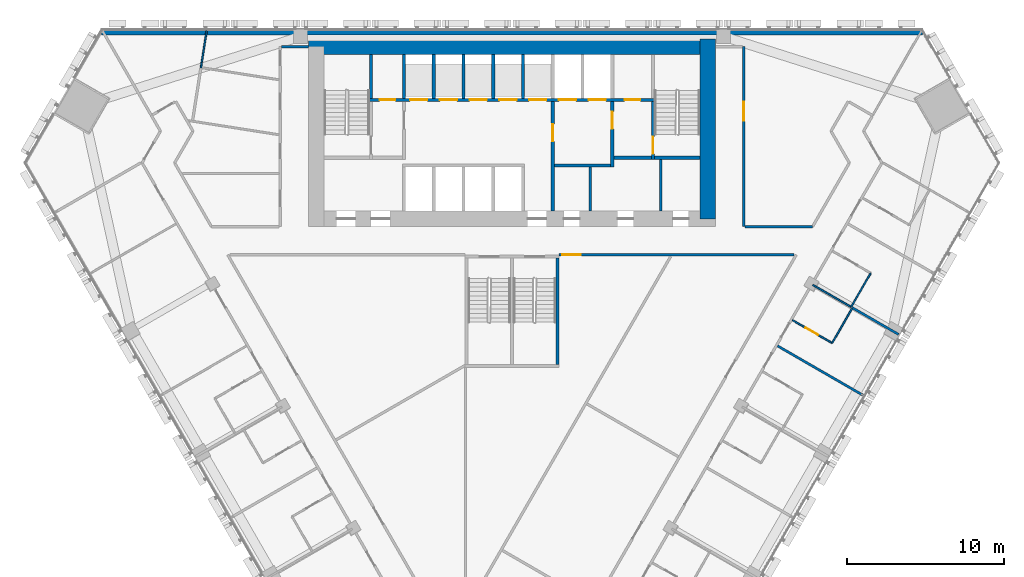
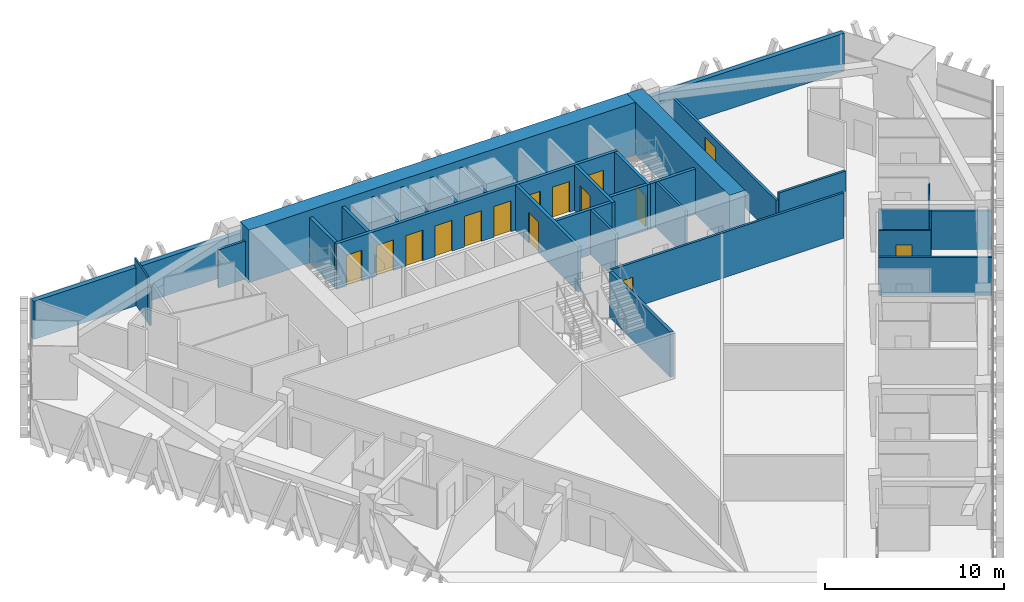
# One storey, part 13 of 18: 31 walls, 15 doors, 15 openings.
"""IFC4 building model written with IfcOpenShell, lengths in metres."""

from ifc_helpers import new_model, si_unit, direction, frame, frame_2d, origin, place, context, subcontext, project, spatial, rectangle, extrude, material, layer, layer_set, type_object, element, fill, save


model = new_model("IFC4")

# Units and contexts
model_context = context("Model", 3, precision=1e-05, world=origin(), true_north=direction((0.0, 1.0)))
body_context = subcontext(model_context, "Body", "Model", "MODEL_VIEW")
ifc_project = project(units=[si_unit("LENGTHUNIT", "METRE"), si_unit("AREAUNIT", "SQUARE_METRE"), si_unit("VOLUMEUNIT", "CUBIC_METRE"), si_unit("PLANEANGLEUNIT", "RADIAN"), si_unit("MASSUNIT", "GRAM", prefix="KILO")], contexts=[model_context])

# Site, building, storey
site_placement = place(None, origin())
site = spatial("IfcSite", under=ifc_project, at=site_placement, CompositionType="ELEMENT")
building_placement = place(site_placement, origin())
building = spatial("IfcBuilding", under=site, at=building_placement, Name="Altiplano Prism Tower", CompositionType="ELEMENT")
storey_placement = place(building_placement, frame((0.0, 0.0, 34.199951171875)))
storey = spatial("IfcBuildingStorey", under=building, at=storey_placement, Name="L07", CompositionType="ELEMENT", Elevation=34.199951171875)

# Walls
ifc_material_1 = material(Name="Concrete C70/85", Category="concrete")
ifc_layer_1 = layer(ifc_material_1, 1.0)
ifc_layer_set_1 = layer_set([ifc_layer_1], Name="Concrete C70/85")
wall_type_1 = type_object("IfcWallType", Name="Core wall 1000", PredefinedType="SHEAR", material=ifc_layer_set_1)
wall_1_placement = place(storey_placement, frame((97.5, 92.89990234375, 0.0), z_axis=(0.0, 0.0, 1.0), x_axis=(0.0, 1.0, 0.0)))
element("IfcWall", 1, at=wall_1_placement, inside=storey, type_object=wall_type_1, Name="Core wall E L07", PredefinedType="SHEAR", context=body_context, shape_type="SweptSolid", body=[
    extrude(rectangle(XDim=11.5, YDim=1.0, at=frame_2d((5.75, 0.0))), origin(), (0.0, 0.0, 1.0), 3.60009765625),
])
wall_2_placement = place(storey_placement, frame((97.5, 103.89990234375, 0.0), z_axis=(0.0, 0.0, 1.0), x_axis=(-1.0, 0.0, 0.0)))
element("IfcWall", 2, at=wall_2_placement, inside=storey, type_object=wall_type_1, Name="Core wall N L07", PredefinedType="SHEAR", context=body_context, shape_type="SweptSolid", body=[
    extrude(rectangle(XDim=25.5, YDim=1.0, at=frame_2d((12.75, 0.0))), origin(), (0.0, 0.0, 1.0), 3.60009765625),
])
ifc_material_2 = material(Name="Plasterboard on steel stud", Category="steel")
ifc_layer_2 = layer(ifc_material_2, 0.10009765625)
ifc_layer_set_2 = layer_set([ifc_layer_2], Name="Plasterboard on steel stud")
wall_type_2 = type_object("IfcWallType", Name="Partition 100 unit", PredefinedType="PARTITIONING", material=ifc_layer_set_2)
wall_3_placement = place(storey_placement, frame((106.7080078125, 87.153564453125, 0.0), z_axis=(0.0, 0.0, 1.0), x_axis=(-0.499976333282, -0.866039067339, 0.0)))
element("IfcWall", 3, at=wall_3_placement, inside=storey, type_object=wall_type_2, Name="Partition P02 L07 077", PredefinedType="PARTITIONING", context=body_context, shape_type="SweptSolid", body=[
    extrude(rectangle(XDim=2.52490234375, YDim=0.10009765625, at=frame_2d((1.262451171875, 0.0))), origin(), (0.0, 0.0, 1.0), 2.699951171875),
])

# Wall, opening, door
wall_4_placement = place(storey_placement, frame((105.445556640625, 84.966796875, 0.0), z_axis=(0.0, 0.0, 1.0), x_axis=(-0.866046596414, 0.499963291492, 0.0)))
wall_4 = element("IfcWall", 4, at=wall_4_placement, inside=storey, type_object=wall_type_2, Name="Partition P02 L07 078", PredefinedType="PARTITIONING", context=body_context, shape_type="SweptSolid", body=[
    extrude(rectangle(XDim=2.925048828125, YDim=0.10009765625, at=frame_2d((1.46240234375, 0.0))), origin(), (0.0, 0.0, 1.0), 3.10009765625),
])
opening_1_placement = place(wall_4_placement, frame((1.050048828125, 0.0, 0.0)))
opening_1 = element("IfcOpeningElement", 5, at=opening_1_placement, cuts=wall_4, Name="Opening D0260", PredefinedType="OPENING", context=body_context, shape_type="SweptSolid", body=[
    extrude(rectangle(XDim=0.89990234375, YDim=2.10009765625, at=frame_2d((0.449951171875, 1.050048828125))), frame((0.0, 0.060546875, 0.0), z_axis=(0.0, -1.0, 0.0), x_axis=(1.0, 0.0, 0.0)), (0.0, 0.0, 1.0), 0.12109375),
])
ifc_material_3 = material(Name="Timber", Category="wood")
door_type_1 = type_object("IfcDoorType", Name="Ensuite door 900 x 2100", OperationType="NOTDEFINED", PredefinedType="NOTDEFINED", material=ifc_material_3)
door_1_placement = place(opening_1_placement, origin())
door_1 = element("IfcDoor", 6, at=door_1_placement, inside=storey, type_object=door_type_1, Name="Door D0260", OperationType="SINGLE_SWING_RIGHT", OverallHeight=2.10009765625, OverallWidth=0.89990234375, PredefinedType="NOTDEFINED", context=body_context, shape_type="SweptSolid", body=[
    extrude(rectangle(XDim=0.89990234375, YDim=2.10009765625, at=frame_2d((0.449951171875, 1.050048828125))), frame((0.0, 0.02490234375, 0.0), z_axis=(0.0, -1.0, 0.0), x_axis=(1.0, 0.0, 0.0)), (0.0, 0.0, 1.0), 0.050048828125),
])
fill(opening_1, door_1)

# Walls
wall_5_placement = place(storey_placement, frame((107.908935546875, 89.43359375, 0.0), z_axis=(0.0, 0.0, 1.0), x_axis=(-0.500004234368, -0.866022959057, 0.0)))
element("IfcWall", 7, at=wall_5_placement, inside=storey, type_object=wall_type_2, Name="Partition P02 L07 082", PredefinedType="PARTITIONING", context=body_context, shape_type="SweptSolid", body=[
    extrude(rectangle(XDim=2.5, YDim=0.10009765625, at=frame_2d((1.25, 0.0))), origin(), (0.0, 0.0, 1.0), 2.699951171875),
])
ifc_layer_3 = layer(ifc_material_2, 0.10009765625)
ifc_layer_set_3 = layer_set([ifc_layer_3], Name="Plasterboard on steel stud")
wall_type_3 = type_object("IfcWallType", Name="Partition 100 wet", PredefinedType="PARTITIONING", material=ifc_layer_set_3)
wall_6_placement = place(storey_placement, frame((65.497802734375, 104.89990234375, 0.0), z_axis=(0.0, 0.0, 1.0), x_axis=(-0.154700701776, -0.987961382277, 0.0)))
element("IfcWall", 8, at=wall_6_placement, inside=storey, type_object=wall_type_3, Name="Partition P03 L07 028", PredefinedType="PARTITIONING", context=body_context, shape_type="SweptSolid", body=[
    extrude(rectangle(XDim=2.046875, YDim=0.10009765625, at=frame_2d((1.0234375, 0.0))), origin(), (0.0, 0.0, 1.0), 3.10009765625),
])
wall_7_placement = place(storey_placement, frame((65.18115234375, 102.877685546875, 0.0), z_axis=(0.0, 0.0, 1.0), x_axis=(-0.154663484121, -0.987967209314, 0.0)))
element("IfcWall", 9, at=wall_7_placement, inside=storey, type_object=wall_type_3, Name="Partition P03 L07 029", PredefinedType="PARTITIONING", context=body_context, shape_type="SweptSolid", body=[
    extrude(rectangle(XDim=0.337890625, YDim=0.10009765625, at=frame_2d((0.1689453125, 0.0))), origin(), (0.0, 0.0, 1.0), 2.60009765625),
])
wall_8_placement = place(storey_placement, frame((106.658935546875, 87.2685546875, 0.0), z_axis=(0.0, 0.0, 1.0), x_axis=(-0.866048868473, 0.499959355765, 0.0)))
element("IfcWall", 10, at=wall_8_placement, inside=storey, type_object=wall_type_3, Name="Partition P03 L07 080", PredefinedType="PARTITIONING", context=body_context, shape_type="SweptSolid", body=[
    extrude(rectangle(XDim=2.824951171875, YDim=0.10009765625, at=frame_2d((1.41259765625, 0.0))), origin(), (0.0, 0.0, 1.0), 2.699951171875),
])
ifc_layer_4 = layer(ifc_material_2, 0.14990234375)
ifc_layer_set_4 = layer_set([ifc_layer_4], Name="Plasterboard on steel stud")
wall_type_4 = type_object("IfcWallType", Name="Partition 150 corridor", PredefinedType="PARTITIONING", material=ifc_layer_set_4)
wall_9_placement = place(storey_placement, frame((72.0, 103.89990234375, 0.0), z_axis=(0.0, 0.0, 1.0), x_axis=(-1.0, 0.0, 0.0)))
element("IfcWall", 11, at=wall_9_placement, inside=storey, type_object=wall_type_4, Name="Partition P06 L07 001", PredefinedType="PARTITIONING", context=body_context, shape_type="SweptSolid", body=[
    extrude(rectangle(XDim=1.72509765625, YDim=0.14990234375, at=frame_2d((0.862548828125, 0.0))), origin(), (0.0, 0.0, 1.0), 2.60009765625),
])
wall_10_placement = place(storey_placement, frame((104.194580078125, 92.39990234375, 0.0), z_axis=(0.0, 0.0, 1.0), x_axis=(-1.0, 0.0, 0.0)))
element("IfcWall", 12, at=wall_10_placement, inside=storey, type_object=wall_type_4, Name="Partition P06 L07 020", PredefinedType="PARTITIONING", context=body_context, shape_type="SweptSolid", body=[
    extrude(rectangle(XDim=4.319580078125, YDim=0.14990234375, at=frame_2d((2.15966796875, 0.0))), origin(), (0.0, 0.0, 1.0), 3.10009765625),
])

# Wall, opening, door
wall_11_placement = place(storey_placement, frame((99.800048828125, 92.39990234375, 0.0), z_axis=(0.0, 0.0, 1.0), x_axis=(0.0, 1.0, 0.0)))
wall_11 = element("IfcWall", 13, at=wall_11_placement, inside=storey, type_object=wall_type_4, Name="Partition P06 L07 021", PredefinedType="PARTITIONING", context=body_context, shape_type="SweptSolid", body=[
    extrude(rectangle(XDim=11.5, YDim=0.14990234375, at=frame_2d((5.75, 0.0))), origin(), (0.0, 0.0, 1.0), 2.60009765625),
])
opening_2_placement = place(wall_11_placement, frame((6.77001953125, 0.0, 0.0)))
opening_2 = element("IfcOpeningElement", 14, at=opening_2_placement, cuts=wall_11, Name="Opening D0268", PredefinedType="OPENING", context=body_context, shape_type="SweptSolid", body=[
    extrude(rectangle(XDim=1.199951171875, YDim=2.10009765625, at=frame_2d((0.60009765625, 1.050048828125))), frame((0.0, 0.08544921875, 0.0), z_axis=(0.0, -1.0, 0.0), x_axis=(1.0, 0.0, 0.0)), (0.0, 0.0, 1.0), 0.1708984375),
])
door_type_2 = type_object("IfcDoorType", Name="Shared room door 1200 x 2100", OperationType="NOTDEFINED", PredefinedType="NOTDEFINED", material=ifc_material_3)
door_2_placement = place(opening_2_placement, origin())
door_2 = element("IfcDoor", 15, at=door_2_placement, inside=storey, type_object=door_type_2, Name="Door D0268", OperationType="SINGLE_SWING_RIGHT", OverallHeight=2.10009765625, OverallWidth=1.199951171875, PredefinedType="NOTDEFINED", context=body_context, shape_type="SweptSolid", body=[
    extrude(rectangle(XDim=1.199951171875, YDim=2.10009765625, at=frame_2d((0.60009765625, 1.050048828125))), frame((0.0, 0.02490234375, 0.0), z_axis=(0.0, -1.0, 0.0), x_axis=(1.0, 0.0, 0.0)), (0.0, 0.0, 1.0), 0.050048828125),
])
fill(opening_2, door_2)

wall_12_placement = place(storey_placement, frame((88.0, 90.59912109375, 0.0), z_axis=(0.0, 0.0, 1.0), x_axis=(0.999999997888, 6.499415e-05, 0.0)))
wall_12 = element("IfcWall", 16, at=wall_12_placement, inside=storey, type_object=wall_type_4, Name="Partition P06 L07 023", PredefinedType="PARTITIONING", context=body_context, shape_type="SweptSolid", body=[
    extrude(rectangle(XDim=15.025390625, YDim=0.14990234375, at=frame_2d((7.5126953125, 0.0))), origin(), (0.0, 0.0, 1.0), 3.10009765625),
])
opening_3_placement = place(wall_12_placement, frame((0.199951171875, 0.0, 0.0)))
opening_3 = element("IfcOpeningElement", 17, at=opening_3_placement, cuts=wall_12, Name="Opening D0267", PredefinedType="OPENING", context=body_context, shape_type="SweptSolid", body=[
    extrude(rectangle(XDim=1.199951171875, YDim=2.10009765625, at=frame_2d((0.60009765625, 1.050048828125))), frame((0.0, 0.08544921875, 0.0), z_axis=(0.0, -1.0, 0.0), x_axis=(1.0, 0.0, 0.0)), (0.0, 0.0, 1.0), 0.1708984375),
])
door_3_placement = place(opening_3_placement, origin())
door_3 = element("IfcDoor", 18, at=door_3_placement, inside=storey, type_object=door_type_2, Name="Door D0267", OperationType="SINGLE_SWING_RIGHT", OverallHeight=2.10009765625, OverallWidth=1.199951171875, PredefinedType="NOTDEFINED", context=body_context, shape_type="SweptSolid", body=[
    extrude(rectangle(XDim=1.199951171875, YDim=2.10009765625, at=frame_2d((0.60009765625, 1.050048828125))), frame((0.0, 0.02490234375, 0.0), z_axis=(0.0, -1.0, 0.0), x_axis=(1.0, 0.0, 0.0)), (0.0, 0.0, 1.0), 0.050048828125),
])
fill(opening_3, door_3)

# Walls
ifc_layer_5 = layer(ifc_material_2, 0.14990234375)
ifc_layer_set_5 = layer_set([ifc_layer_5], Name="Plasterboard on steel stud")
wall_type_5 = type_object("IfcWallType", Name="Partition 150 party", PredefinedType="PARTITIONING", material=ifc_layer_set_5)
wall_13_placement = place(storey_placement, frame((107.45751953125, 81.611328125, 0.0), z_axis=(0.0, 0.0, 1.0), x_axis=(-0.866025401434, 0.500000004071, 0.0)))
element("IfcWall", 19, at=wall_13_placement, inside=storey, type_object=wall_type_5, Name="Partition P01 L07 076", PredefinedType="PARTITIONING", context=body_context, shape_type="SweptSolid", body=[
    extrude(rectangle(XDim=6.34521484375, YDim=0.14990234375, at=frame_2d((3.172607421875, 0.0))), origin(), (0.0, 0.0, 1.0), 2.60009765625),
])
wall_14_placement = place(storey_placement, frame((109.68994140625, 85.5185546875, 0.0), z_axis=(0.0, 0.0, 1.0), x_axis=(-0.866038183914, 0.499977863513, 0.0)))
element("IfcWall", 20, at=wall_14_placement, inside=storey, type_object=wall_type_5, Name="Partition P01 L07 079", PredefinedType="PARTITIONING", context=body_context, shape_type="SweptSolid", body=[
    extrude(rectangle(XDim=3.420166015625, YDim=0.14990234375, at=frame_2d((1.7099609375, 0.0))), origin(), (0.0, 0.0, 1.0), 2.60009765625),
])
ifc_material_4 = material(Name="Fire-rated gypsum board partition")
ifc_layer_6 = layer(ifc_material_4, 0.14990234375)
ifc_layer_set_6 = layer_set([ifc_layer_6], Name="Fire-rated gypsum board partition")
wall_type_6 = type_object("IfcWallType", Name="Room partition 150", PredefinedType="PARTITIONING", material=ifc_layer_set_6)
wall_15_placement = place(storey_placement, frame((90.0, 93.39990234375, 0.0), z_axis=(0.0, 0.0, 1.0), x_axis=(0.0, 1.0, 0.0)))
element("IfcWall", 21, at=wall_15_placement, inside=storey, type_object=wall_type_6, Name="Room partition L07", PredefinedType="PARTITIONING", context=body_context, shape_type="SweptSolid", body=[
    extrude(rectangle(XDim=2.800048828125, YDim=0.14990234375, at=frame_2d((1.39990234375, 0.0))), origin(), (0.0, 0.0, 1.0), 3.10009765625),
])
wall_16_placement = place(storey_placement, frame((94.5, 93.39990234375, 0.0), z_axis=(0.0, 0.0, 1.0), x_axis=(0.0, 1.0, 0.0)))
element("IfcWall", 22, at=wall_16_placement, inside=storey, type_object=wall_type_6, Name="Room partition L07", PredefinedType="PARTITIONING", context=body_context, shape_type="SweptSolid", body=[
    extrude(rectangle(XDim=3.300048828125, YDim=0.14990234375, at=frame_2d((1.64990234375, 0.0))), origin(), (0.0, 0.0, 1.0), 3.10009765625),
])
ifc_material_5 = material(Name="Concrete C60/75", Category="concrete")
ifc_layer_7 = layer(ifc_material_5, 0.199951171875)
ifc_layer_set_7 = layer_set([ifc_layer_7], Name="Concrete C60/75")
wall_type_7 = type_object("IfcWallType", Name="Shaft wall 200", PredefinedType="SOLIDWALL", material=ifc_layer_set_7)
for number, where, z_axis, x_axis, name in (
    (23, (78.10009765625, 100.60009765625, 0.0), (0.0, 0.0, 1.0), (0.0, 1.0, 0.0), "Shaft wall L07"),
    (24, (80.0, 100.60009765625, 0.0), (0.0, 0.0, 1.0), (0.0, 1.0, 0.0), "Shaft wall L07"),
    (25, (81.89990234375, 100.60009765625, 0.0), (0.0, 0.0, 1.0), (0.0, 1.0, 0.0), "Shaft wall L07"),
    (26, (83.800048828125, 100.60009765625, 0.0), (0.0, 0.0, 1.0), (0.0, 1.0, 0.0), "Shaft wall L07"),
    (27, (85.699951171875, 100.60009765625, 0.0), (0.0, 0.0, 1.0), (0.0, 1.0, 0.0), "Shaft wall L07"),
):
    element("IfcWall", number, at=place(storey_placement, frame(where, z_axis=z_axis, x_axis=x_axis)), inside=storey, type_object=wall_type_7, Name=name, PredefinedType="SOLIDWALL", context=body_context, shape_type="SweptSolid", body=[
        extrude(rectangle(XDim=2.7998046875, YDim=0.199951171875, at=frame_2d((1.39990234375, 0.0))), origin(), (0.0, 0.0, 1.0), 3.10009765625),
    ])

# Wall, opening, door
ifc_layer_8 = layer(ifc_material_5, 0.199951171875)
ifc_layer_set_8 = layer_set([ifc_layer_8], Name="Concrete C60/75")
wall_type_8 = type_object("IfcWallType", Name="Stair wall 200", PredefinedType="SOLIDWALL", material=ifc_layer_set_8)
wall_17_placement = place(storey_placement, frame((94.0, 96.699951171875, 0.0), z_axis=(0.0, 0.0, 1.0), x_axis=(0.0, 1.0, 0.0)))
wall_17 = element("IfcWall", 28, at=wall_17_placement, inside=storey, type_object=wall_type_8, Name="Stair wall L07", PredefinedType="SOLIDWALL", context=body_context, shape_type="SweptSolid", body=[
    extrude(rectangle(XDim=3.699951171875, YDim=0.199951171875, at=frame_2d((1.85009765625, 0.0))), origin(), (0.0, 0.0, 1.0), 3.10009765625),
])
opening_4_placement = place(wall_17_placement, frame((0.35009765625, 0.0, 0.0)))
opening_4 = element("IfcOpeningElement", 29, at=opening_4_placement, cuts=wall_17, Name="Opening D2682", PredefinedType="OPENING", context=body_context, shape_type="SweptSolid", body=[
    extrude(rectangle(XDim=1.10009765625, YDim=2.10009765625, at=frame_2d((0.550048828125, 1.050048828125))), frame((0.0, 0.1103515625, 0.0), z_axis=(0.0, -1.0, 0.0), x_axis=(1.0, 0.0, 0.0)), (0.0, 0.0, 1.0), 0.220947265625),
])
ifc_material_6 = material(Name="Fire-rated steel door", Category="steel")
door_type_3 = type_object("IfcDoorType", Name="Stair fire door 1100 x 2100", OperationType="NOTDEFINED", PredefinedType="NOTDEFINED", material=ifc_material_6)
door_4_placement = place(opening_4_placement, origin())
door_4 = element("IfcDoor", 30, at=door_4_placement, inside=storey, type_object=door_type_3, Name="Stair fire door D2682", OperationType="SINGLE_SWING_LEFT", OverallHeight=2.10009765625, OverallWidth=1.10009765625, PredefinedType="NOTDEFINED", context=body_context, shape_type="SweptSolid", body=[
    extrude(rectangle(XDim=1.10009765625, YDim=2.10009765625, at=frame_2d((0.550048828125, 1.050048828125))), frame((0.0, 0.02490234375, 0.0), z_axis=(0.0, -1.0, 0.0), x_axis=(1.0, 0.0, 0.0)), (0.0, 0.0, 1.0), 0.050048828125),
])
fill(opening_4, door_4)

# Wall
wall_18_placement = place(storey_placement, frame((94.10009765625, 96.800048828125, 0.0), z_axis=(0.0, 0.0, 1.0), x_axis=(1.0, 0.0, 0.0)))
element("IfcWall", 31, at=wall_18_placement, inside=storey, type_object=wall_type_8, Name="Stair wall L07", PredefinedType="SOLIDWALL", context=body_context, shape_type="SweptSolid", body=[
    extrude(rectangle(XDim=2.89990234375, YDim=0.199951171875, at=frame_2d((1.449951171875, 0.0))), origin(), (0.0, 0.0, 1.0), 3.10009765625),
])

# Wall, openings, doors
wall_19_placement = place(storey_placement, frame((75.89990234375, 100.5, 0.0), z_axis=(0.0, 0.0, 1.0), x_axis=(1.0, 0.0, 0.0)))
wall_19 = element("IfcWall", 32, at=wall_19_placement, inside=storey, type_object=wall_type_8, Name="Stair wall L07", PredefinedType="SOLIDWALL", context=body_context, shape_type="SweptSolid", body=[
    extrude(rectangle(XDim=18.2001953125, YDim=0.199951171875, at=frame_2d((9.10009765625, 0.0))), origin(), (0.0, 0.0, 1.0), 3.10009765625),
])
opening_5_placement = place(wall_19_placement, frame((2.60009765625, 0.0, 0.0)))
opening_5 = element("IfcOpeningElement", 33, at=opening_5_placement, cuts=wall_19, Name="Opening LD-LL1-L07", PredefinedType="OPENING", context=body_context, shape_type="SweptSolid", body=[
    extrude(rectangle(XDim=1.10009765625, YDim=2.10009765625, at=frame_2d((0.550048828125, 1.050048828125))), frame((0.0, 0.1103515625, 0.0), z_axis=(0.0, -1.0, 0.0), x_axis=(1.0, 0.0, 0.0)), (0.0, 0.0, 1.0), 0.220947265625),
])
opening_6_placement = place(wall_19_placement, frame((4.5, 0.0, 0.0)))
opening_6 = element("IfcOpeningElement", 34, at=opening_6_placement, cuts=wall_19, Name="Opening LD-LL2-L07", PredefinedType="OPENING", context=body_context, shape_type="SweptSolid", body=[
    extrude(rectangle(XDim=1.10009765625, YDim=2.10009765625, at=frame_2d((0.550048828125, 1.050048828125))), frame((0.0, 0.1103515625, 0.0), z_axis=(0.0, -1.0, 0.0), x_axis=(1.0, 0.0, 0.0)), (0.0, 0.0, 1.0), 0.220947265625),
])
opening_7_placement = place(wall_19_placement, frame((6.39990234375, 0.0, 0.0)))
opening_7 = element("IfcOpeningElement", 35, at=opening_7_placement, cuts=wall_19, Name="Opening LD-LL3-L07", PredefinedType="OPENING", context=body_context, shape_type="SweptSolid", body=[
    extrude(rectangle(XDim=1.10009765625, YDim=2.10009765625, at=frame_2d((0.550048828125, 1.050048828125))), frame((0.0, 0.1103515625, 0.0), z_axis=(0.0, -1.0, 0.0), x_axis=(1.0, 0.0, 0.0)), (0.0, 0.0, 1.0), 0.220947265625),
])
opening_8_placement = place(wall_19_placement, frame((8.300048828125, 0.0, 0.0)))
opening_8 = element("IfcOpeningElement", 36, at=opening_8_placement, cuts=wall_19, Name="Opening LD-LL4-L07", PredefinedType="OPENING", context=body_context, shape_type="SweptSolid", body=[
    extrude(rectangle(XDim=1.10009765625, YDim=2.10009765625, at=frame_2d((0.550048828125, 1.050048828125))), frame((0.0, 0.1103515625, 0.0), z_axis=(0.0, -1.0, 0.0), x_axis=(1.0, 0.0, 0.0)), (0.0, 0.0, 1.0), 0.220947265625),
])
opening_9_placement = place(wall_19_placement, frame((10.199951171875, 0.0, 0.0)))
opening_9 = element("IfcOpeningElement", 37, at=opening_9_placement, cuts=wall_19, Name="Opening LD-LL5-L07", PredefinedType="OPENING", context=body_context, shape_type="SweptSolid", body=[
    extrude(rectangle(XDim=1.10009765625, YDim=2.10009765625, at=frame_2d((0.550048828125, 1.050048828125))), frame((0.0, 0.1103515625, 0.0), z_axis=(0.0, -1.0, 0.0), x_axis=(1.0, 0.0, 0.0)), (0.0, 0.0, 1.0), 0.220947265625),
])
opening_10_placement = place(wall_19_placement, frame((12.10009765625, 0.0, 0.0)))
opening_10 = element("IfcOpeningElement", 38, at=opening_10_placement, cuts=wall_19, Name="Opening LD-FF1-L07", PredefinedType="OPENING", context=body_context, shape_type="SweptSolid", body=[
    extrude(rectangle(XDim=1.10009765625, YDim=2.10009765625, at=frame_2d((0.550048828125, 1.050048828125))), frame((0.0, 0.1103515625, 0.0), z_axis=(0.0, -1.0, 0.0), x_axis=(1.0, 0.0, 0.0)), (0.0, 0.0, 1.0), 0.220947265625),
])
opening_11_placement = place(wall_19_placement, frame((14.0, 0.0, 0.0)))
opening_11 = element("IfcOpeningElement", 39, at=opening_11_placement, cuts=wall_19, Name="Opening LD-FF2-L07", PredefinedType="OPENING", context=body_context, shape_type="SweptSolid", body=[
    extrude(rectangle(XDim=1.10009765625, YDim=2.10009765625, at=frame_2d((0.550048828125, 1.050048828125))), frame((0.0, 0.1103515625, 0.0), z_axis=(0.0, -1.0, 0.0), x_axis=(1.0, 0.0, 0.0)), (0.0, 0.0, 1.0), 0.220947265625),
])
opening_12_placement = place(wall_19_placement, frame((0.64990234375, 0.0, 0.0)))
opening_12 = element("IfcOpeningElement", 40, at=opening_12_placement, cuts=wall_19, Name="Opening D2689", PredefinedType="OPENING", context=body_context, shape_type="SweptSolid", body=[
    extrude(rectangle(XDim=1.0, YDim=2.10009765625, at=frame_2d((0.5, 1.050048828125))), frame((0.0, 0.1103515625, 0.0), z_axis=(0.0, -1.0, 0.0), x_axis=(1.0, 0.0, 0.0)), (0.0, 0.0, 1.0), 0.220947265625),
])
opening_13_placement = place(wall_19_placement, frame((16.300048828125, 0.0, 0.0)))
opening_13 = element("IfcOpeningElement", 41, at=opening_13_placement, cuts=wall_19, Name="Opening D2690", PredefinedType="OPENING", context=body_context, shape_type="SweptSolid", body=[
    extrude(rectangle(XDim=1.0, YDim=2.10009765625, at=frame_2d((0.5, 1.050048828125))), frame((0.0, 0.1103515625, 0.0), z_axis=(0.0, -1.0, 0.0), x_axis=(1.0, 0.0, 0.0)), (0.0, 0.0, 1.0), 0.220947265625),
])
door_type_4 = type_object("IfcDoorType", Name="Core room door 1000 x 2100", OperationType="NOTDEFINED", PredefinedType="NOTDEFINED", material=ifc_material_6)
door_5_placement = place(opening_12_placement, origin())
door_5 = element("IfcDoor", 42, at=door_5_placement, inside=storey, type_object=door_type_4, Name="Core room door D2689", OperationType="SINGLE_SWING_LEFT", OverallHeight=2.10009765625, OverallWidth=1.0, PredefinedType="NOTDEFINED", context=body_context, shape_type="SweptSolid", body=[
    extrude(rectangle(XDim=1.0, YDim=2.10009765625, at=frame_2d((0.5, 1.050048828125))), frame((0.0, 0.02490234375, 0.0), z_axis=(0.0, -1.0, 0.0), x_axis=(1.0, 0.0, 0.0)), (0.0, 0.0, 1.0), 0.050048828125),
])
fill(opening_12, door_5)
door_6_placement = place(opening_13_placement, origin())
door_6 = element("IfcDoor", 43, at=door_6_placement, inside=storey, type_object=door_type_4, Name="Core room door D2690", OperationType="SINGLE_SWING_RIGHT", OverallHeight=2.10009765625, OverallWidth=1.0, PredefinedType="NOTDEFINED", context=body_context, shape_type="SweptSolid", body=[
    extrude(rectangle(XDim=1.0, YDim=2.10009765625, at=frame_2d((0.5, 1.050048828125))), frame((0.0, 0.02490234375, 0.0), z_axis=(0.0, -1.0, 0.0), x_axis=(1.0, 0.0, 0.0)), (0.0, 0.0, 1.0), 0.050048828125),
])
fill(opening_13, door_6)
ifc_material_7 = material(Name="Stainless steel landing door", Category="steel")
door_type_5 = type_object("IfcDoorType", Name="Landing door 1100 x 2100", OperationType="NOTDEFINED", PredefinedType="NOTDEFINED", material=ifc_material_7)
door_7_placement = place(opening_5_placement, origin())
door_7 = element("IfcDoor", 44, at=door_7_placement, inside=storey, type_object=door_type_5, Name="Landing doors LL1", OperationType="SLIDING_TO_RIGHT", OverallHeight=2.10009765625, OverallWidth=1.10009765625, PredefinedType="NOTDEFINED", context=body_context, shape_type="SweptSolid", body=[
    extrude(rectangle(XDim=1.10009765625, YDim=2.10009765625, at=frame_2d((0.550048828125, 1.050048828125))), frame((0.0, 0.02490234375, 0.0), z_axis=(0.0, -1.0, 0.0), x_axis=(1.0, 0.0, 0.0)), (0.0, 0.0, 1.0), 0.050048828125),
])
fill(opening_5, door_7)
door_8_placement = place(opening_6_placement, origin())
door_8 = element("IfcDoor", 45, at=door_8_placement, inside=storey, type_object=door_type_5, Name="Landing doors LL2", OperationType="SLIDING_TO_LEFT", OverallHeight=2.10009765625, OverallWidth=1.10009765625, PredefinedType="NOTDEFINED", context=body_context, shape_type="SweptSolid", body=[
    extrude(rectangle(XDim=1.10009765625, YDim=2.10009765625, at=frame_2d((0.550048828125, 1.050048828125))), frame((0.0, 0.02490234375, 0.0), z_axis=(0.0, -1.0, 0.0), x_axis=(1.0, 0.0, 0.0)), (0.0, 0.0, 1.0), 0.050048828125),
])
fill(opening_6, door_8)
door_9_placement = place(opening_7_placement, origin())
door_9 = element("IfcDoor", 46, at=door_9_placement, inside=storey, type_object=door_type_5, Name="Landing doors LL3", OperationType="SLIDING_TO_RIGHT", OverallHeight=2.10009765625, OverallWidth=1.10009765625, PredefinedType="NOTDEFINED", context=body_context, shape_type="SweptSolid", body=[
    extrude(rectangle(XDim=1.10009765625, YDim=2.10009765625, at=frame_2d((0.550048828125, 1.050048828125))), frame((0.0, 0.02490234375, 0.0), z_axis=(0.0, -1.0, 0.0), x_axis=(1.0, 0.0, 0.0)), (0.0, 0.0, 1.0), 0.050048828125),
])
fill(opening_7, door_9)
door_10_placement = place(opening_8_placement, origin())
door_10 = element("IfcDoor", 47, at=door_10_placement, inside=storey, type_object=door_type_5, Name="Landing doors LL4", OperationType="SLIDING_TO_LEFT", OverallHeight=2.10009765625, OverallWidth=1.10009765625, PredefinedType="NOTDEFINED", context=body_context, shape_type="SweptSolid", body=[
    extrude(rectangle(XDim=1.10009765625, YDim=2.10009765625, at=frame_2d((0.550048828125, 1.050048828125))), frame((0.0, 0.02490234375, 0.0), z_axis=(0.0, -1.0, 0.0), x_axis=(1.0, 0.0, 0.0)), (0.0, 0.0, 1.0), 0.050048828125),
])
fill(opening_8, door_10)
door_11_placement = place(opening_9_placement, origin())
door_11 = element("IfcDoor", 48, at=door_11_placement, inside=storey, type_object=door_type_5, Name="Landing doors LL5", OperationType="SLIDING_TO_RIGHT", OverallHeight=2.10009765625, OverallWidth=1.10009765625, PredefinedType="NOTDEFINED", context=body_context, shape_type="SweptSolid", body=[
    extrude(rectangle(XDim=1.10009765625, YDim=2.10009765625, at=frame_2d((0.550048828125, 1.050048828125))), frame((0.0, 0.02490234375, 0.0), z_axis=(0.0, -1.0, 0.0), x_axis=(1.0, 0.0, 0.0)), (0.0, 0.0, 1.0), 0.050048828125),
])
fill(opening_9, door_11)
door_12_placement = place(opening_10_placement, origin())
door_12 = element("IfcDoor", 49, at=door_12_placement, inside=storey, type_object=door_type_5, Name="Landing doors FF1", OperationType="SLIDING_TO_RIGHT", OverallHeight=2.10009765625, OverallWidth=1.10009765625, PredefinedType="NOTDEFINED", context=body_context, shape_type="SweptSolid", body=[
    extrude(rectangle(XDim=1.10009765625, YDim=2.10009765625, at=frame_2d((0.550048828125, 1.050048828125))), frame((0.0, 0.02490234375, 0.0), z_axis=(0.0, -1.0, 0.0), x_axis=(1.0, 0.0, 0.0)), (0.0, 0.0, 1.0), 0.050048828125),
])
fill(opening_10, door_12)
door_13_placement = place(opening_11_placement, origin())
door_13 = element("IfcDoor", 50, at=door_13_placement, inside=storey, type_object=door_type_5, Name="Landing doors FF2", OperationType="SLIDING_TO_LEFT", OverallHeight=2.10009765625, OverallWidth=1.10009765625, PredefinedType="NOTDEFINED", context=body_context, shape_type="SweptSolid", body=[
    extrude(rectangle(XDim=1.10009765625, YDim=2.10009765625, at=frame_2d((0.550048828125, 1.050048828125))), frame((0.0, 0.02490234375, 0.0), z_axis=(0.0, -1.0, 0.0), x_axis=(1.0, 0.0, 0.0)), (0.0, 0.0, 1.0), 0.050048828125),
])
fill(opening_11, door_13)

# Walls
wall_20_placement = place(storey_placement, frame((76.0, 100.60009765625, 0.0), z_axis=(0.0, 0.0, 1.0), x_axis=(0.0, 1.0, 0.0)))
element("IfcWall", 51, at=wall_20_placement, inside=storey, type_object=wall_type_8, Name="Stair wall L07", PredefinedType="SOLIDWALL", context=body_context, shape_type="SweptSolid", body=[
    extrude(rectangle(XDim=2.7998046875, YDim=0.199951171875, at=frame_2d((1.39990234375, 0.0))), origin(), (0.0, 0.0, 1.0), 3.10009765625),
])
wall_21_placement = place(storey_placement, frame((87.89990234375, 83.60009765625, 0.0), z_axis=(0.0, 0.0, 1.0), x_axis=(0.0, 1.0, 0.0)))
element("IfcWall", 52, at=wall_21_placement, inside=storey, type_object=wall_type_8, Name="Stair 3 wall east L07", PredefinedType="SOLIDWALL", context=body_context, shape_type="SweptSolid", body=[
    extrude(rectangle(XDim=6.7998046875, YDim=0.199951171875, at=frame_2d((3.39990234375, 0.0))), origin(), (0.0, 0.0, 1.0), 3.10009765625),
])
ifc_material_8 = material(Name="Concrete C40", Category="concrete")
ifc_layer_9 = layer(ifc_material_8, 0.300048828125)
ifc_layer_set_9 = layer_set([ifc_layer_9], Name="Concrete C40")
wall_type_9 = type_object("IfcWallType", Name="Stone-clad external wall 300", PredefinedType="SOLIDWALL", material=ifc_layer_set_9)
wall_22_placement = place(storey_placement, frame((58.79296875, 104.7900390625, 0.0), z_axis=(0.0, 0.0, 1.0), x_axis=(1.0, 0.0, 0.0)))
element("IfcWall", 53, at=wall_22_placement, inside=storey, type_object=wall_type_9, Name="External wall north face L07", PredefinedType="SOLIDWALL", context=body_context, shape_type="SweptSolid", body=[
    extrude(rectangle(XDim=52.4140625, YDim=0.300048828125, at=frame_2d((26.20703125, 0.0))), origin(), (0.0, 0.0, 1.0), 2.60009765625),
])

# Wall, opening, door
ifc_layer_10 = layer(ifc_material_5, 0.199951171875)
ifc_layer_set_10 = layer_set([ifc_layer_10], Name="Concrete C60/75")
wall_type_10 = type_object("IfcWallType", Name="Vestibule wall 200", PredefinedType="PARTITIONING", material=ifc_layer_set_10)
wall_23_placement = place(storey_placement, frame((87.60009765625, 93.39990234375, 0.0), z_axis=(0.0, 0.0, 1.0), x_axis=(0.0, 1.0, 0.0)))
wall_23 = element("IfcWall", 54, at=wall_23_placement, inside=storey, type_object=wall_type_10, Name="Vestibule wall L07", PredefinedType="PARTITIONING", context=body_context, shape_type="SweptSolid", body=[
    extrude(rectangle(XDim=7.0, YDim=0.199951171875, at=frame_2d((3.5, 0.0))), origin(), (0.0, 0.0, 1.0), 3.10009765625),
])
opening_14_placement = place(wall_23_placement, frame((4.449951171875, 0.0, 0.0)))
opening_14 = element("IfcOpeningElement", 55, at=opening_14_placement, cuts=wall_23, Name="Opening D2684", PredefinedType="OPENING", context=body_context, shape_type="SweptSolid", body=[
    extrude(rectangle(XDim=1.10009765625, YDim=2.10009765625, at=frame_2d((0.550048828125, 1.050048828125))), frame((0.0, 0.1103515625, 0.0), z_axis=(0.0, -1.0, 0.0), x_axis=(1.0, 0.0, 0.0)), (0.0, 0.0, 1.0), 0.220947265625),
])
door_type_6 = type_object("IfcDoorType", Name="Vestibule fire door 1100 x 2100", OperationType="NOTDEFINED", PredefinedType="NOTDEFINED", material=ifc_material_6)
door_14_placement = place(opening_14_placement, origin())
door_14 = element("IfcDoor", 56, at=door_14_placement, inside=storey, type_object=door_type_6, Name="Vestibule fire door D2684", OperationType="SINGLE_SWING_RIGHT", OverallHeight=2.10009765625, OverallWidth=1.10009765625, PredefinedType="NOTDEFINED", context=body_context, shape_type="SweptSolid", body=[
    extrude(rectangle(XDim=1.10009765625, YDim=2.10009765625, at=frame_2d((0.550048828125, 1.050048828125))), frame((0.0, 0.02490234375, 0.0), z_axis=(0.0, -1.0, 0.0), x_axis=(1.0, 0.0, 0.0)), (0.0, 0.0, 1.0), 0.050048828125),
])
fill(opening_14, door_14)

# Wall
wall_24_placement = place(storey_placement, frame((87.699951171875, 96.300048828125, 0.0), z_axis=(0.0, 0.0, 1.0), x_axis=(1.0, 0.0, 0.0)))
element("IfcWall", 57, at=wall_24_placement, inside=storey, type_object=wall_type_10, Name="Vestibule wall L07", PredefinedType="PARTITIONING", context=body_context, shape_type="SweptSolid", body=[
    extrude(rectangle(XDim=3.60009765625, YDim=0.199951171875, at=frame_2d((1.800048828125, 0.0))), origin(), (0.0, 0.0, 1.0), 3.10009765625),
])

# Wall, opening, door
wall_25_placement = place(storey_placement, frame((91.39990234375, 96.199951171875, 0.0), z_axis=(0.0, 0.0, 1.0), x_axis=(0.0, 1.0, 0.0)))
wall_25 = element("IfcWall", 58, at=wall_25_placement, inside=storey, type_object=wall_type_10, Name="Vestibule wall L07", PredefinedType="PARTITIONING", context=body_context, shape_type="SweptSolid", body=[
    extrude(rectangle(XDim=4.199951171875, YDim=0.199951171875, at=frame_2d((2.10009765625, 0.0))), origin(), (0.0, 0.0, 1.0), 3.10009765625),
])
opening_15_placement = place(wall_25_placement, frame((2.449951171875, 0.0, 0.0)))
opening_15 = element("IfcOpeningElement", 59, at=opening_15_placement, cuts=wall_25, Name="Opening D2685", PredefinedType="OPENING", context=body_context, shape_type="SweptSolid", body=[
    extrude(rectangle(XDim=1.10009765625, YDim=2.10009765625, at=frame_2d((0.550048828125, 1.050048828125))), frame((0.0, 0.1103515625, 0.0), z_axis=(0.0, -1.0, 0.0), x_axis=(1.0, 0.0, 0.0)), (0.0, 0.0, 1.0), 0.220947265625),
])
door_15_placement = place(opening_15_placement, origin())
door_15 = element("IfcDoor", 60, at=door_15_placement, inside=storey, type_object=door_type_6, Name="Vestibule fire door D2685", OperationType="SINGLE_SWING_LEFT", OverallHeight=2.10009765625, OverallWidth=1.10009765625, PredefinedType="NOTDEFINED", context=body_context, shape_type="SweptSolid", body=[
    extrude(rectangle(XDim=1.10009765625, YDim=2.10009765625, at=frame_2d((0.550048828125, 1.050048828125))), frame((0.0, 0.02490234375, 0.0), z_axis=(0.0, -1.0, 0.0), x_axis=(1.0, 0.0, 0.0)), (0.0, 0.0, 1.0), 0.050048828125),
])
fill(opening_15, door_15)

# Wall
wall_26_placement = place(storey_placement, frame((91.5, 96.800048828125, 0.0), z_axis=(0.0, 0.0, 1.0), x_axis=(1.0, 0.0, 0.0)))
element("IfcWall", 61, at=wall_26_placement, inside=storey, type_object=wall_type_10, Name="Vestibule wall L07", PredefinedType="PARTITIONING", context=body_context, shape_type="SweptSolid", body=[
    extrude(rectangle(XDim=2.39990234375, YDim=0.199951171875, at=frame_2d((1.199951171875, 0.0))), origin(), (0.0, 0.0, 1.0), 3.10009765625),
])

save(model, "model.ifc")
